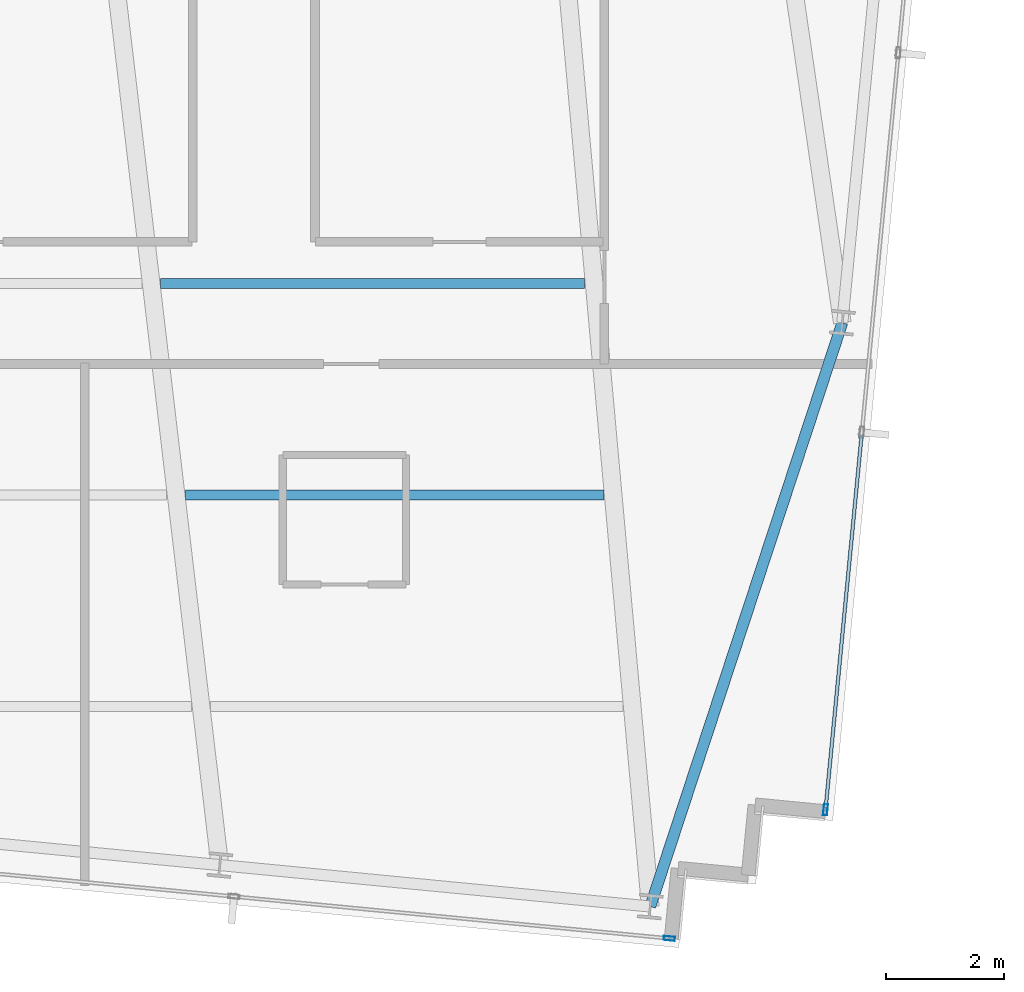
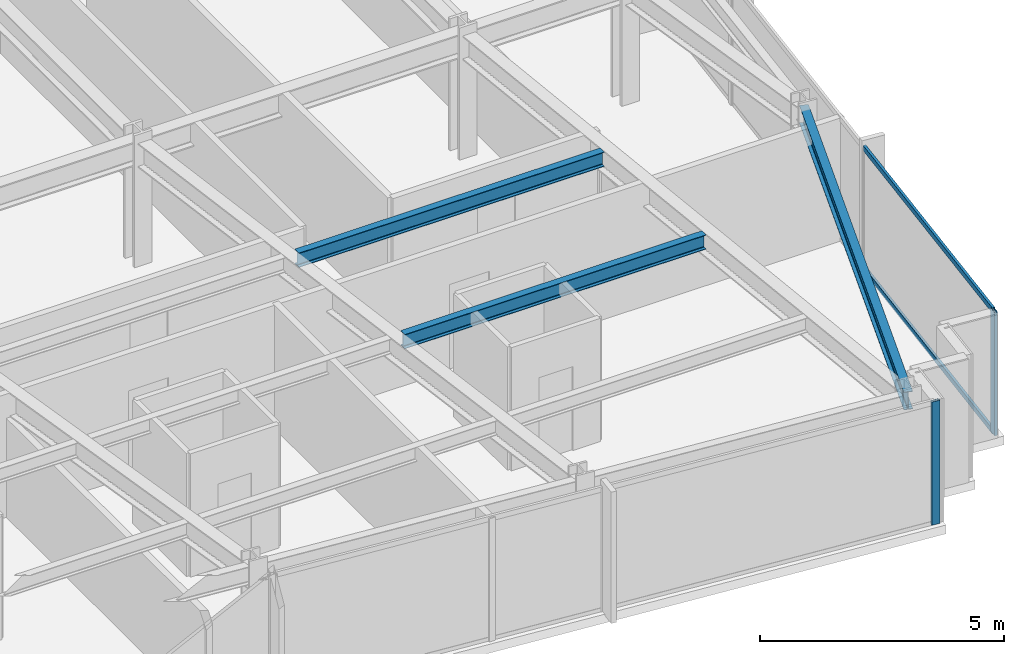
# One storey, part 14 of 36: 4 members, 3 beams, 2 elements without a shape of their own.
"""IFC4 building model written with IfcOpenShell, lengths in metres."""

import ifcopenshell
import ifcopenshell.guid

model = None  # the IFC model being written
_history = None  # IfcOwnerHistory: only IFC2X3 demands one
_inside = {}  # id of a spatial element -> (the spatial element, [elements in it])
_under = {}  # id of a project, library or spatial element -> (it, [spatial elements below it])
_declared = {}  # id of a project -> (the project, [libraries it declares])
_typed = {}  # id of a type object -> (the type object, [elements of that type])
_made_of = {}  # id of a material, layer set ... -> (it, [elements and type objects made of it])


def new_model(schema):
    """Start an empty IFC model of exactly this schema.

    Asked for "IFC4X3", IfcOpenShell would pick the latest addendum, in which some entities
    have other attributes; the version numbers below select the first issue.
    IFC2X3 requires an IfcOwnerHistory on every rooted entity: one is made here for all.
    """
    global model, _history
    if schema == "IFC4X3":
        model = ifcopenshell.file(schema_version=(4, 3, 0, 0))
    else:
        model = ifcopenshell.file(schema=schema)
    _inside.clear()
    _under.clear()
    _declared.clear()
    _typed.clear()
    _made_of.clear()
    _history = None
    if model.schema == "IFC2X3":
        org = make("IfcOrganization", Name="unknown")
        user = make(
            "IfcPersonAndOrganization",
            ThePerson=make("IfcPerson", FamilyName="unknown"),
            TheOrganization=org,
        )
        app = make(
            "IfcApplication",
            ApplicationDeveloper=org,
            Version="unknown",
            ApplicationFullName="unknown",
            ApplicationIdentifier="unknown",
        )
        _history = make(
            "IfcOwnerHistory",
            OwningUser=user,
            OwningApplication=app,
            ChangeAction="ADDED",
            CreationDate=0,
        )
    return model


def make(cls, **values):
    """One entity of the class cls with the attributes given. An attribute that is None is left unset."""
    return model.create_entity(
        cls, **{name: value for name, value in values.items() if value is not None}
    )


def rooted(cls, **values):
    """An entity with a GlobalId (a new one), such as an element, a storey or a relation."""
    return make(cls, GlobalId=ifcopenshell.guid.new(), OwnerHistory=_history, **values)


def si_unit(unit_type, name, prefix=None):
    """IfcSIUnit, for example si_unit("LENGTHUNIT", "METRE", prefix="MILLI")."""
    return make("IfcSIUnit", UnitType=unit_type, Prefix=prefix, Name=name)


def assignment(units):
    """IfcUnitAssignment: the units of a project."""
    return None if units is None else make("IfcUnitAssignment", Units=units)


def point(xyz):
    """IfcCartesianPoint."""
    return None if xyz is None else make("IfcCartesianPoint", Coordinates=xyz)


def direction(xyz):
    """IfcDirection."""
    return None if xyz is None else make("IfcDirection", DirectionRatios=xyz)


def frame(location, z_axis=None, x_axis=None):
    """IfcAxis2Placement3D, a coordinate frame: its origin and axes. An axis left out is left unset."""
    return make(
        "IfcAxis2Placement3D",
        Location=point(location),
        Axis=direction(z_axis),
        RefDirection=direction(x_axis),
    )


def frame_2d(location, x_axis=None):
    """IfcAxis2Placement2D, a coordinate frame in the plane: its origin and x axis."""
    return make(
        "IfcAxis2Placement2D", Location=point(location), RefDirection=direction(x_axis)
    )


def origin():
    """The frame at (0, 0, 0) with its axes left unset."""
    return frame((0.0, 0.0, 0.0))


def origin_2d():
    """The frame at (0, 0) in the plane with its x axis left unset."""
    return frame_2d((0.0, 0.0))


def place(relative_to, where):
    """IfcLocalPlacement: puts the frame where relative to a parent placement (None: the world)."""
    return make(
        "IfcLocalPlacement", PlacementRelTo=relative_to, RelativePlacement=where
    )


def context(
    kind, dimensions, precision=None, world=None, true_north=None, identifier=None
):
    """IfcGeometricRepresentationContext, for example the 3D "Model" context."""
    return make(
        "IfcGeometricRepresentationContext",
        ContextIdentifier=identifier,
        ContextType=kind,
        CoordinateSpaceDimension=dimensions,
        Precision=precision,
        WorldCoordinateSystem=world,
        TrueNorth=true_north,
    )


def subcontext(parent, identifier, kind, view, scale=None):
    """IfcGeometricRepresentationSubContext, for example "Body" below "Model"."""
    return make(
        "IfcGeometricRepresentationSubContext",
        ContextIdentifier=identifier,
        ContextType=kind,
        ParentContext=parent,
        TargetScale=scale,
        TargetView=view,
    )


def project(units=None, contexts=None):
    """IfcProject with its units and contexts."""
    return rooted(
        "IfcProject",
        Name="project",
        RepresentationContexts=contexts,
        UnitsInContext=assignment(units),
    )


def spatial(cls, under=None, at=None, **own):
    """A site, building, storey or space (cls), placed at a placement, below another one or the project."""
    s = rooted(cls, ObjectPlacement=at, **own)
    if under is not None:
        _under.setdefault(under.id(), (under, []))[1].append(s)
    return s


def profile(cls, at=None, kind="AREA", **sizes):
    """A parametric profile (cls). Its sizes go by their IFC names, for example OverallWidth=200.0."""
    return make(cls, ProfileType=kind, Position=at, **sizes)


def hollow_rectangle(**sizes):
    """IfcRectangleHollowProfileDef."""
    return profile("IfcRectangleHollowProfileDef", **sizes)


def i_section(**sizes):
    """IfcIShapeProfileDef."""
    return profile("IfcIShapeProfileDef", **sizes)


def extrude(swept, where, along, depth):
    """IfcExtrudedAreaSolid: the profile swept, set in the frame where, extruded along a direction by depth."""
    return make(
        "IfcExtrudedAreaSolid",
        SweptArea=swept,
        Position=where,
        ExtrudedDirection=direction(along),
        Depth=depth,
    )


def shape(context_of_items, identifier, shape_type, items):
    """IfcShapeRepresentation: the items that make up one representation, for example the "Body"."""
    return make(
        "IfcShapeRepresentation",
        ContextOfItems=context_of_items,
        RepresentationIdentifier=identifier,
        RepresentationType=shape_type,
        Items=items,
    )


def material(Name=None, Category=None):
    """IfcMaterial."""
    return make("IfcMaterial", Name=Name, Category=Category)


def material_profile(
    of_material, cross_section, Name=None, Category=None, Priority=None
):
    """IfcMaterialProfile: a cross section and its material."""
    return make(
        "IfcMaterialProfile",
        Name=Name,
        Material=of_material,
        Profile=cross_section,
        Priority=Priority,
        Category=Category,
    )


def profile_set(profiles, Name=None, composite=None):
    """IfcMaterialProfileSet."""
    return make(
        "IfcMaterialProfileSet",
        Name=Name,
        MaterialProfiles=profiles,
        CompositeProfile=composite,
    )


def made_of(thing, what):
    """Note that an element or type object is made of a material, layer set ...; save() writes the relation."""
    if what is not None:
        _made_of.setdefault(what.id(), (what, []))[1].append(thing)
    return thing


def type_object(cls, material=None, **own):
    """A type object (cls), such as IfcWallType, which elements share."""
    return made_of(rooted(cls, **own), material)


def element(
    cls,
    number,
    at=None,
    inside=None,
    cuts=None,
    type_object=None,
    material=None,
    context=None,
    identifier="Body",
    shape_type=None,
    held_by="IfcProductDefinitionShape",
    body=None,
    shapes=None,
    **own,
):
    """One element of the class cls, such as IfcWall. Its Tag is "e" and its number.

    at: its placement. inside: the storey or other place that contains it. cuts: it is an
    opening in that element (IfcRelVoidsElement). A single representation is given by context,
    identifier, shape_type and body (its items); several are given by shapes. held_by: the class
    of the entity that holds the representations. save() writes the other relations.
    """
    e = rooted(cls, Tag="e%d" % number, ObjectPlacement=at, **own)
    if body is not None:
        shapes = [shape(context, identifier, shape_type, body)]
    if shapes is not None:
        e.Representation = make(held_by, Representations=shapes)
    if inside is not None:
        _inside.setdefault(inside.id(), (inside, []))[1].append(e)
    if cuts is not None:
        rooted(
            "IfcRelVoidsElement", RelatingBuildingElement=cuts, RelatedOpeningElement=e
        )
    if type_object is not None:
        _typed.setdefault(type_object.id(), (type_object, []))[1].append(e)
    return made_of(e, material)


def aggregate(whole, parts):
    """IfcRelAggregates: a whole, such as a stair, and the parts it consists of."""
    return rooted("IfcRelAggregates", RelatingObject=whole, RelatedObjects=parts)


def save(model, path):
    """Write the relations noted so far, then the file.

    IfcRelAggregates (storeys below a building ...), IfcRelContainedInSpatialStructure (elements
    in a storey), IfcRelDefinesByType, IfcRelAssociatesMaterial and IfcRelDeclares: one each for
    every whole, place, type object, material and project.
    """
    for whole, parts in _under.values():
        aggregate(whole, parts)
    for where, things in _inside.values():
        rooted(
            "IfcRelContainedInSpatialStructure",
            RelatedElements=things,
            RelatingStructure=where,
        )
    for kind, things in _typed.values():
        rooted("IfcRelDefinesByType", RelatedObjects=things, RelatingType=kind)
    for what, things in _made_of.values():
        rooted("IfcRelAssociatesMaterial", RelatedObjects=things, RelatingMaterial=what)
    for by, libraries in _declared.values():
        rooted("IfcRelDeclares", RelatingContext=by, RelatedDefinitions=libraries)
    model.write(path)


model = new_model("IFC4")

# Units and contexts
model_context = context("Model", 3, precision=1e-05, world=origin(), true_north=direction((0.0, 1.0)))
body_context = subcontext(model_context, "Body", "Model", "MODEL_VIEW")
ifc_project = project(units=[si_unit("LENGTHUNIT", "METRE"), si_unit("AREAUNIT", "SQUARE_METRE"), si_unit("VOLUMEUNIT", "CUBIC_METRE"), si_unit("PLANEANGLEUNIT", "RADIAN"), si_unit("MASSUNIT", "GRAM", prefix="KILO")], contexts=[model_context])

# Site, building, storey
site_placement = place(None, origin())
site = spatial("IfcSite", under=ifc_project, at=site_placement, CompositionType="ELEMENT")
building_placement = place(site_placement, origin())
building = spatial("IfcBuilding", under=site, at=building_placement, Name="Yelkora Congress Tower", CompositionType="ELEMENT")
storey_placement = place(building_placement, frame((0.0, 0.0, 152.300048828125)))
storey = spatial("IfcBuildingStorey", under=building, at=storey_placement, Name="L41", CompositionType="ELEMENT", Elevation=152.300048828125)

# Beams
ifc_material_1 = material(Name="Steel S355J2", Category="steel")
ifc_material_profile_1 = material_profile(ifc_material_1, i_section(OverallWidth=0.169921875, OverallDepth=0.360107421875, WebThickness=0.008056640625, FlangeThickness=0.0126953125, FilletRadius=0.01806640625, at=origin_2d()), Name="IPE 360")
ifc_profile_set_1 = profile_set([ifc_material_profile_1], Name="Steel S355J2")
beam_type_1 = type_object("IfcBeamType", Name="BM-JOIST-IPE360", PredefinedType="JOIST", material=ifc_profile_set_1)
beam_1_placement = place(storey_placement, frame((47.27587890625, 16.421142578125, 2.89990234375), z_axis=(1.0, 0.0, 0.0), x_axis=(0.0, 1.0, 0.0)))
element("IfcBeam", 1, at=beam_1_placement, inside=storey, type_object=beam_type_1, Name="L41 Composite Floor Joist 11", PredefinedType="JOIST", context=body_context, shape_type="SweptSolid", body=[
    extrude(i_section(OverallWidth=0.169921875, OverallDepth=0.360107421875, WebThickness=0.008056640625, FlangeThickness=0.0126953125, FilletRadius=0.01806640625, at=origin_2d()), origin(), (0.0, 0.0, 1.0), 7.115234375),
])
beam_2_placement = place(storey_placement, frame((46.851318359375, 20.021240234375, 2.89990234375), z_axis=(1.0, 0.0, 0.0), x_axis=(0.0, 1.0, 0.0)))
element("IfcBeam", 2, at=beam_2_placement, inside=storey, type_object=beam_type_1, Name="L41 Composite Floor Joist 18", PredefinedType="JOIST", context=body_context, shape_type="SweptSolid", body=[
    extrude(i_section(OverallWidth=0.169921875, OverallDepth=0.360107421875, WebThickness=0.008056640625, FlangeThickness=0.0126953125, FilletRadius=0.01806640625, at=origin_2d()), origin(), (0.0, 0.0, 1.0), 7.215576171875),
])
ifc_material_profile_2 = material_profile(ifc_material_1, i_section(OverallWidth=0.18994140625, OverallDepth=0.449951171875, WebThickness=0.009521484375, FlangeThickness=0.0146484375, FilletRadius=0.02099609375, at=origin_2d()), Name="IPE 450")
ifc_profile_set_2 = profile_set([ifc_material_profile_2], Name="Steel S355J2")
beam_type_2 = type_object("IfcBeamType", Name="BM-SPAN-IPE450", PredefinedType="SPANDREL", material=ifc_profile_set_2)
beam_3_placement = place(storey_placement, frame((55.18212890625, 9.421142578125, 2.85498046875), z_axis=(0.312456737339, 0.949931990877, 0.0), x_axis=(-0.949931990877, 0.312456737339, 0.0)))
element("IfcBeam", 3, at=beam_3_placement, inside=storey, type_object=beam_type_2, Name="L41 Perimeter Beam 9", PredefinedType="SPANDREL", context=body_context, shape_type="SweptSolid", body=[
    extrude(i_section(OverallWidth=0.18994140625, OverallDepth=0.449951171875, WebThickness=0.009521484375, FlangeThickness=0.0146484375, FilletRadius=0.02099609375, at=origin_2d()), origin(), (0.0, 0.0, 1.0), 10.4560546875),
])

# Curtain wall, member
ifc_material_2 = material(Name="Anodised aluminium and insulated glass", Category="aluminium")
curtain_wall_type = type_object("IfcCurtainWallType", Name="CW-SYS-B3", PredefinedType="NOTDEFINED", material=ifc_material_2)
curtain_wall_1_placement = place(storey_placement, origin())
curtain_wall_1 = element("IfcCurtainWall", 4, at=curtain_wall_1_placement, inside=storey, type_object=curtain_wall_type, Name="L41 Unitised Curtain Wall 15", PredefinedType="NOTDEFINED")
ifc_material_3 = material(Name="Anodised aluminium 6063-T6", Category="aluminium")
ifc_material_profile_3 = material_profile(ifc_material_3, hollow_rectangle(XDim=0.070068359375, YDim=0.18994140625, WallThickness=0.00390625, at=origin_2d()), Name="ALU 70x190x4")
ifc_profile_set_3 = profile_set([ifc_material_profile_3], Name="Anodised aluminium 6063-T6")
member_type_1 = type_object("IfcMemberType", Name="MEM-ML-B3", PredefinedType="MULLION", material=ifc_profile_set_3)
member_1_placement = place(storey_placement, frame((58.163818359375, 11.068115234375, 0.0), z_axis=(0.0, 0.0, 1.0), x_axis=(0.995396565076, -0.095841944023, 0.0)))
member_1 = element("IfcMember", 5, at=member_1_placement, type_object=member_type_1, Name="CW-B3 mullion 6", PredefinedType="MULLION", context=body_context, shape_type="SweptSolid", body=[
    extrude(hollow_rectangle(XDim=0.070068359375, YDim=0.18994140625, WallThickness=0.00390625, at=origin_2d()), origin(), (0.0, 0.0, 1.0), 3.079833984375),
])

curtain_wall_2_placement = place(storey_placement, origin())
curtain_wall_2 = element("IfcCurtainWall", 6, at=curtain_wall_2_placement, inside=storey, type_object=curtain_wall_type, Name="L41 Unitised Curtain Wall 20", PredefinedType="NOTDEFINED")
member_2_placement = place(storey_placement, frame((55.506591796875, 8.877685546875, 0.0), z_axis=(0.0, 0.0, 1.0), x_axis=(-0.095844680679, -0.995396301573, 0.0)))
member_2 = element("IfcMember", 7, at=member_2_placement, type_object=member_type_1, Name="CW-B3 mullion 1", PredefinedType="MULLION", context=body_context, shape_type="SweptSolid", body=[
    extrude(hollow_rectangle(XDim=0.070068359375, YDim=0.18994140625, WallThickness=0.00390625, at=origin_2d()), origin(), (0.0, 0.0, 1.0), 3.079833984375),
])
aggregate(curtain_wall_2, [member_2])

# Member
ifc_material_profile_4 = material_profile(ifc_material_3, hollow_rectangle(XDim=0.06005859375, YDim=0.1298828125, WallThickness=0.00390625, at=origin_2d()), Name="ALU 60x130x4")
ifc_profile_set_4 = profile_set([ifc_material_profile_4], Name="Anodised aluminium 6063-T6")
member_type_2 = type_object("IfcMemberType", Name="MEM-TR-B3", PredefinedType="USERDEFINED", material=ifc_profile_set_4)
member_3_placement = place(storey_placement, frame((58.778564453125, 17.45263671875, 0.030029296875), z_axis=(-0.095869192297, -0.995393941095, 0.0), x_axis=(0.995393941095, -0.095869192297, 0.0)))
member_3 = element("IfcMember", 8, at=member_3_placement, type_object=member_type_2, Name="CW-B3 transom 5.1", ObjectType="TRANSOM", PredefinedType="USERDEFINED", context=body_context, shape_type="SweptSolid", body=[
    extrude(hollow_rectangle(XDim=0.06005859375, YDim=0.1298828125, WallThickness=0.00390625, at=origin_2d()), origin(), (0.0, 0.0, 1.0), 6.379150390625),
])

member_4_placement = place(storey_placement, frame((58.778564453125, 17.45263671875, 3.050048828125), z_axis=(-0.095869192297, -0.995393941095, 0.0), x_axis=(0.995393941095, -0.095869192297, 0.0)))
member_4 = element("IfcMember", 9, at=member_4_placement, type_object=member_type_2, Name="CW-B3 transom 5.2", ObjectType="TRANSOM", PredefinedType="USERDEFINED", context=body_context, shape_type="SweptSolid", body=[
    extrude(hollow_rectangle(XDim=0.06005859375, YDim=0.1298828125, WallThickness=0.00390625, at=origin_2d()), origin(), (0.0, 0.0, 1.0), 6.379150390625),
])

aggregate(curtain_wall_1, [member_1, member_3, member_4])

save(model, "model.ifc")
